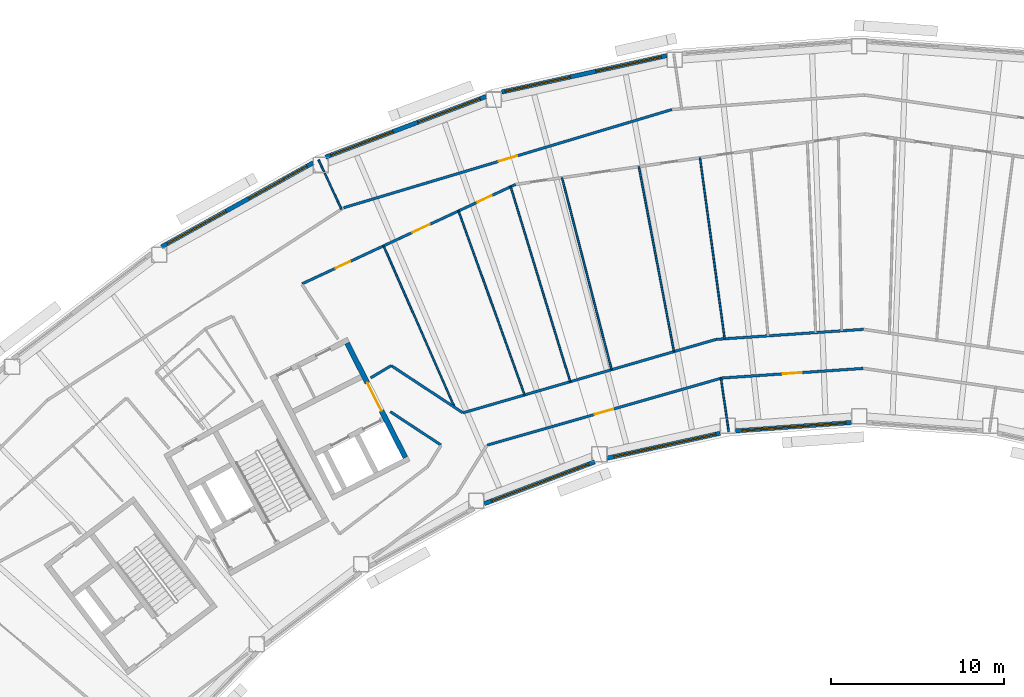
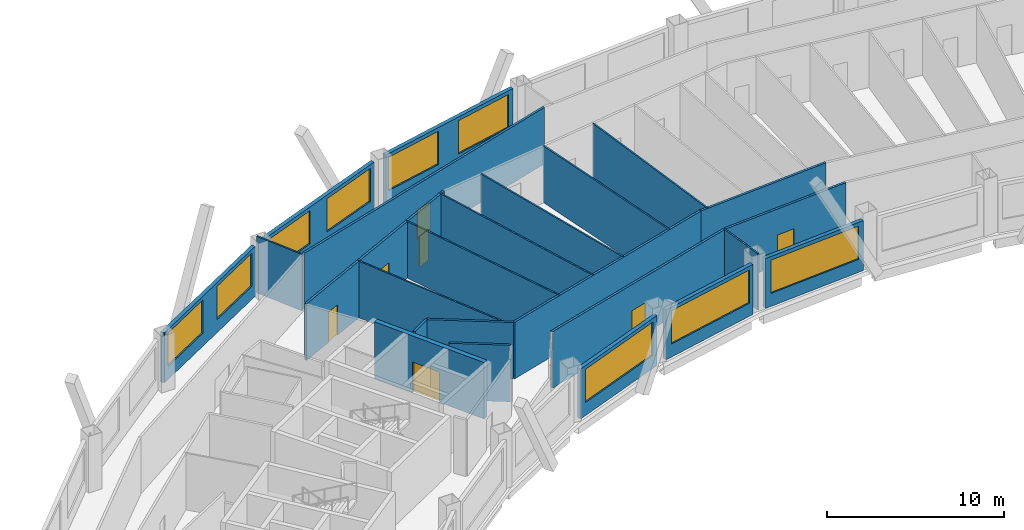
# One storey, part 7 of 15: 24 walls, 9 windows, 7 doors, 16 openings.
"""IFC4 building model written with IfcOpenShell, lengths in metres."""

from ifc_helpers import new_model, si_unit, direction, frame, frame_2d, origin, place, context, subcontext, project, spatial, rectangle, extrude, material, layer, layer_set, type_object, element, fill, save


model = new_model("IFC4")

# Units and contexts
model_context = context("Model", 3, precision=1e-05, world=origin(), true_north=direction((0.0, 1.0)))
body_context = subcontext(model_context, "Body", "Model", "MODEL_VIEW")
ifc_project = project(units=[si_unit("LENGTHUNIT", "METRE"), si_unit("AREAUNIT", "SQUARE_METRE"), si_unit("VOLUMEUNIT", "CUBIC_METRE"), si_unit("PLANEANGLEUNIT", "RADIAN"), si_unit("MASSUNIT", "GRAM", prefix="KILO")], contexts=[model_context])

# Site, building, storey
site_placement = place(None, origin())
site = spatial("IfcSite", under=ifc_project, at=site_placement, CompositionType="ELEMENT")
building_placement = place(site_placement, origin())
building = spatial("IfcBuilding", under=site, at=building_placement, Name="Tuul Gate Civic Tower", CompositionType="ELEMENT")
storey_placement = place(building_placement, frame((0.0, 0.0, 226.300048828125)))
storey = spatial("IfcBuildingStorey", under=building, at=storey_placement, Name="Level 51", CompositionType="ELEMENT", Elevation=226.300048828125)

# Wall, opening, door
ifc_material_1 = material(Name="Gypsum board partition")
ifc_layer_1 = layer(ifc_material_1, 0.14990234375)
ifc_layer_set_1 = layer_set([ifc_layer_1], Name="Gypsum board partition")
wall_type_1 = type_object("IfcWallType", Name="Corridor wall P150", PredefinedType="PARTITIONING", material=ifc_layer_set_1)
wall_1_placement = place(storey_placement, frame((-23.810302734375, 9.249267578125, 0.0), z_axis=(0.0, 0.0, 1.0), x_axis=(0.958034617298, 0.286652528436, 0.0)))
wall_1 = element("IfcWall", 1, at=wall_1_placement, inside=storey, type_object=wall_type_1, Name="p013", PredefinedType="PARTITIONING", context=body_context, shape_type="SweptSolid", body=[
    extrude(rectangle(XDim=19.77978515625, YDim=0.14990234375, at=frame_2d((9.889892578125, 0.0))), origin(), (0.0, 0.0, 1.0), 3.89990234375),
])
opening_1_placement = place(wall_1_placement, frame((9.33984375, 0.0, 0.0)))
opening_1 = element("IfcOpeningElement", 2, at=opening_1_placement, cuts=wall_1, Name="Opening R-D04", PredefinedType="OPENING", context=body_context, shape_type="SweptSolid", body=[
    extrude(rectangle(XDim=1.10009765625, YDim=2.10009765625, at=frame_2d((0.550048828125, 1.050048828125))), frame((0.0, 0.0849609375, 0.0), z_axis=(0.0, -1.0, 0.0), x_axis=(1.0, 0.0, 0.0)), (0.0, 0.0, 1.0), 0.169921875),
])
ifc_material_2 = material(Name="Timber door leaf", Category="wood")
door_type_1 = type_object("IfcDoorType", Name="Door D11", OperationType="NOTDEFINED", PredefinedType="DOOR", material=ifc_material_2)
door_1_placement = place(opening_1_placement, origin())
door_1 = element("IfcDoor", 3, at=door_1_placement, inside=storey, type_object=door_type_1, Name="Door R-D04", OperationType="SINGLE_SWING_RIGHT", OverallHeight=2.10009765625, OverallWidth=1.10009765625, PredefinedType="DOOR", context=body_context, shape_type="SweptSolid", body=[
    extrude(rectangle(XDim=1.10009765625, YDim=2.10009765625, at=frame_2d((0.550048828125, 1.050048828125))), frame((0.0, 0.02490234375, 0.0), z_axis=(0.0, -1.0, 0.0), x_axis=(1.0, 0.0, 0.0)), (0.0, 0.0, 1.0), 0.050048828125),
])
fill(opening_1, door_1)

wall_2_placement = place(storey_placement, frame((-15.534912109375, -4.460205078125, 0.0), z_axis=(0.0, 0.0, 1.0), x_axis=(0.961375307867, 0.275240835311, 0.0)))
wall_2 = element("IfcWall", 4, at=wall_2_placement, inside=storey, type_object=wall_type_1, Name="p037", PredefinedType="PARTITIONING", context=body_context, shape_type="SweptSolid", body=[
    extrude(rectangle(XDim=14.0830078125, YDim=0.14990234375, at=frame_2d((7.04150390625, 0.0))), origin(), (0.0, 0.0, 1.0), 3.89990234375),
])
opening_2_placement = place(wall_2_placement, frame((6.47265625, 0.0, 0.0)))
opening_2 = element("IfcOpeningElement", 5, at=opening_2_placement, cuts=wall_2, Name="Opening R-D10", PredefinedType="OPENING", context=body_context, shape_type="SweptSolid", body=[
    extrude(rectangle(XDim=1.10009765625, YDim=2.10009765625, at=frame_2d((0.550048828125, 1.050048828125))), frame((0.0, 0.0849609375, 0.0), z_axis=(0.0, -1.0, 0.0), x_axis=(1.0, 0.0, 0.0)), (0.0, 0.0, 1.0), 0.169921875),
])
door_2_placement = place(opening_2_placement, frame((1.10009765625, 0.0, 0.0), z_axis=(0.0, 0.0, 1.0), x_axis=(-1.0, 0.0, 0.0)))
door_2 = element("IfcDoor", 6, at=door_2_placement, inside=storey, type_object=door_type_1, Name="Door R-D10", OperationType="SINGLE_SWING_LEFT", OverallHeight=2.10009765625, OverallWidth=1.10009765625, PredefinedType="DOOR", context=body_context, shape_type="SweptSolid", body=[
    extrude(rectangle(XDim=1.10009765625, YDim=2.10009765625, at=frame_2d((0.550048828125, 1.050048828125))), frame((0.0, 0.02490234375, 0.0), z_axis=(0.0, -1.0, 0.0), x_axis=(1.0, 0.0, 0.0)), (0.0, 0.0, 1.0), 0.050048828125),
])
fill(opening_2, door_2)

wall_3_placement = place(storey_placement, frame((-1.990478515625, -0.5830078125, 0.0), z_axis=(0.0, 0.0, 1.0), x_axis=(0.997683646703, 0.068024562484, 0.0)))
wall_3 = element("IfcWall", 7, at=wall_3_placement, inside=storey, type_object=wall_type_1, Name="p038", PredefinedType="PARTITIONING", context=body_context, shape_type="SweptSolid", body=[
    extrude(rectangle(XDim=8.190185546875, YDim=0.14990234375, at=frame_2d((4.09521484375, 0.0))), origin(), (0.0, 0.0, 1.0), 3.89990234375),
])
opening_3_placement = place(wall_3_placement, frame((3.545166015625, 0.0, 0.0)))
opening_3 = element("IfcOpeningElement", 8, at=opening_3_placement, cuts=wall_3, Name="Opening R-D09", PredefinedType="OPENING", context=body_context, shape_type="SweptSolid", body=[
    extrude(rectangle(XDim=1.10009765625, YDim=2.10009765625, at=frame_2d((0.550048828125, 1.050048828125))), frame((0.0, 0.0849609375, 0.0), z_axis=(0.0, -1.0, 0.0), x_axis=(1.0, 0.0, 0.0)), (0.0, 0.0, 1.0), 0.169921875),
])
door_3_placement = place(opening_3_placement, frame((1.10009765625, 0.0, 0.0), z_axis=(0.0, 0.0, 1.0), x_axis=(-1.0, 0.0, 0.0)))
door_3 = element("IfcDoor", 9, at=door_3_placement, inside=storey, type_object=door_type_1, Name="Door R-D09", OperationType="SINGLE_SWING_LEFT", OverallHeight=2.10009765625, OverallWidth=1.10009765625, PredefinedType="DOOR", context=body_context, shape_type="SweptSolid", body=[
    extrude(rectangle(XDim=1.10009765625, YDim=2.10009765625, at=frame_2d((0.550048828125, 1.050048828125))), frame((0.0, 0.02490234375, 0.0), z_axis=(0.0, -1.0, 0.0), x_axis=(1.0, 0.0, 0.0)), (0.0, 0.0, 1.0), 0.050048828125),
])
fill(opening_3, door_3)

# Walls
wall_4_placement = place(storey_placement, frame((-2.315185546875, 1.650146484375, 0.0), z_axis=(0.0, 0.0, 1.0), x_axis=(0.997686740479, 0.067979172342, 0.0)))
element("IfcWall", 10, at=wall_4_placement, inside=storey, type_object=wall_type_1, Name="p074", PredefinedType="PARTITIONING", context=body_context, shape_type="SweptSolid", body=[
    extrude(rectangle(XDim=8.5224609375, YDim=0.14990234375, at=frame_2d((4.26123046875, 0.0))), origin(), (0.0, 0.0, 1.0), 3.89990234375),
])
wall_5_placement = place(storey_placement, frame((-16.918212890625, -2.5888671875, 0.0), z_axis=(0.0, 0.0, 1.0), x_axis=(0.960351912949, 0.278790608334, 0.0)))
element("IfcWall", 11, at=wall_5_placement, inside=storey, type_object=wall_type_1, Name="p079", PredefinedType="PARTITIONING", context=body_context, shape_type="SweptSolid", body=[
    extrude(rectangle(XDim=15.2041015625, YDim=0.14990234375, at=frame_2d((7.60205078125, 0.0))), origin(), (0.0, 0.0, 1.0), 3.89990234375),
])

# Wall, openings, doors
wall_6_placement = place(storey_placement, frame((-26.212646484375, 4.8583984375, 0.0), z_axis=(0.0, 0.0, 1.0), x_axis=(0.906577439331, 0.422039508218, 0.0)))
wall_6 = element("IfcWall", 12, at=wall_6_placement, inside=storey, type_object=wall_type_1, Name="p083", PredefinedType="PARTITIONING", context=body_context, shape_type="SweptSolid", body=[
    extrude(rectangle(XDim=13.590087890625, YDim=0.14990234375, at=frame_2d((6.794921875, 0.0))), origin(), (0.0, 0.0, 1.0), 3.89990234375),
])
opening_4_placement = place(wall_6_placement, frame((11.169921875, 0.0, 0.0)))
opening_4 = element("IfcOpeningElement", 13, at=opening_4_placement, cuts=wall_6, Name="Opening R-D31", PredefinedType="OPENING", context=body_context, shape_type="SweptSolid", body=[
    extrude(rectangle(XDim=0.89990234375, YDim=2.10009765625, at=frame_2d((0.449951171875, 1.050048828125))), frame((0.0, 0.0849609375, 0.0), z_axis=(0.0, -1.0, 0.0), x_axis=(1.0, 0.0, 0.0)), (0.0, 0.0, 1.0), 0.169921875),
])
opening_5_placement = place(wall_6_placement, frame((7.025390625, 0.0, 0.0)))
opening_5 = element("IfcOpeningElement", 14, at=opening_5_placement, cuts=wall_6, Name="Opening R-D32", PredefinedType="OPENING", context=body_context, shape_type="SweptSolid", body=[
    extrude(rectangle(XDim=1.10009765625, YDim=2.10009765625, at=frame_2d((0.550048828125, 1.050048828125))), frame((0.0, 0.0849609375, 0.0), z_axis=(0.0, -1.0, 0.0), x_axis=(1.0, 0.0, 0.0)), (0.0, 0.0, 1.0), 0.169921875),
])
opening_6_placement = place(wall_6_placement, frame((2.144287109375, 0.0, 0.0)))
opening_6 = element("IfcOpeningElement", 15, at=opening_6_placement, cuts=wall_6, Name="Opening R-D33", PredefinedType="OPENING", context=body_context, shape_type="SweptSolid", body=[
    extrude(rectangle(XDim=0.89990234375, YDim=2.10009765625, at=frame_2d((0.449951171875, 1.050048828125))), frame((0.0, 0.0849609375, 0.0), z_axis=(0.0, -1.0, 0.0), x_axis=(1.0, 0.0, 0.0)), (0.0, 0.0, 1.0), 0.169921875),
])
ifc_material_3 = material(Name="Timber door leaf", Category="wood")
door_type_2 = type_object("IfcDoorType", Name="Door D09", OperationType="NOTDEFINED", PredefinedType="DOOR", material=ifc_material_3)
door_4_placement = place(opening_4_placement, frame((0.89990234375, 0.0, 0.0), z_axis=(0.0, 0.0, 1.0), x_axis=(-1.0, 0.0, 0.0)))
door_4 = element("IfcDoor", 16, at=door_4_placement, inside=storey, type_object=door_type_2, Name="Door R-D31", OperationType="SINGLE_SWING_LEFT", OverallHeight=2.10009765625, OverallWidth=0.89990234375, PredefinedType="DOOR", context=body_context, shape_type="SweptSolid", body=[
    extrude(rectangle(XDim=0.89990234375, YDim=2.10009765625, at=frame_2d((0.449951171875, 1.050048828125))), frame((0.0, 0.02490234375, 0.0), z_axis=(0.0, -1.0, 0.0), x_axis=(1.0, 0.0, 0.0)), (0.0, 0.0, 1.0), 0.050048828125),
])
fill(opening_4, door_4)
door_5_placement = place(opening_6_placement, frame((0.89990234375, 0.0, 0.0), z_axis=(0.0, 0.0, 1.0), x_axis=(-1.0, 0.0, 0.0)))
door_5 = element("IfcDoor", 17, at=door_5_placement, inside=storey, type_object=door_type_2, Name="Door R-D33", OperationType="SINGLE_SWING_LEFT", OverallHeight=2.10009765625, OverallWidth=0.89990234375, PredefinedType="DOOR", context=body_context, shape_type="SweptSolid", body=[
    extrude(rectangle(XDim=0.89990234375, YDim=2.10009765625, at=frame_2d((0.449951171875, 1.050048828125))), frame((0.0, 0.02490234375, 0.0), z_axis=(0.0, -1.0, 0.0), x_axis=(1.0, 0.0, 0.0)), (0.0, 0.0, 1.0), 0.050048828125),
])
fill(opening_6, door_5)
door_6_placement = place(opening_5_placement, frame((1.10009765625, 0.0, 0.0), z_axis=(0.0, 0.0, 1.0), x_axis=(-1.0, 0.0, 0.0)))
door_6 = element("IfcDoor", 18, at=door_6_placement, inside=storey, type_object=door_type_1, Name="Door R-D32", OperationType="SINGLE_SWING_LEFT", OverallHeight=2.10009765625, OverallWidth=1.10009765625, PredefinedType="DOOR", context=body_context, shape_type="SweptSolid", body=[
    extrude(rectangle(XDim=1.10009765625, YDim=2.10009765625, at=frame_2d((0.550048828125, 1.050048828125))), frame((0.0, 0.02490234375, 0.0), z_axis=(0.0, -1.0, 0.0), x_axis=(1.0, 0.0, 0.0)), (0.0, 0.0, 1.0), 0.050048828125),
])
fill(opening_5, door_6)

# Walls
wall_7_placement = place(storey_placement, frame((-21.06689453125, 0.133544921875, 0.0), z_axis=(0.0, 0.0, 1.0), x_axis=(0.8355255713, -0.549451562655, 0.0)))
element("IfcWall", 19, at=wall_7_placement, inside=storey, type_object=wall_type_1, Name="p086", PredefinedType="PARTITIONING", context=body_context, shape_type="SweptSolid", body=[
    extrude(rectangle(XDim=4.947998046875, YDim=0.14990234375, at=frame_2d((2.47412109375, 0.0))), origin(), (0.0, 0.0, 1.0), 3.89990234375),
])
wall_8_placement = place(storey_placement, frame((-22.254150390625, -0.57275390625, 0.0), z_axis=(0.0, 0.0, 1.0), x_axis=(0.859111470211, 0.511788512719, 0.0)))
element("IfcWall", 20, at=wall_8_placement, inside=storey, type_object=wall_type_1, Name="p088", PredefinedType="PARTITIONING", context=body_context, shape_type="SweptSolid", body=[
    extrude(rectangle(XDim=1.380615234375, YDim=0.14990234375, at=frame_2d((0.6904296875, 0.0))), origin(), (0.0, 0.0, 1.0), 3.89990234375),
])
wall_9_placement = place(storey_placement, frame((-21.115478515625, -2.527099609375, 0.0), z_axis=(0.0, 0.0, 1.0), x_axis=(0.835481377366, -0.54951876044, 0.0)))
element("IfcWall", 21, at=wall_9_placement, inside=storey, type_object=wall_type_1, Name="p093", PredefinedType="PARTITIONING", context=body_context, shape_type="SweptSolid", body=[
    extrude(rectangle(XDim=3.48681640625, YDim=0.14990234375, at=frame_2d((1.743408203125, 0.0))), origin(), (0.0, 0.0, 1.0), 3.89990234375),
])

# Wall, openings, windows
ifc_material_4 = material(Name="Precast concrete C40/50", Category="concrete")
ifc_layer_2 = layer(ifc_material_4, 0.25)
ifc_layer_set_2 = layer_set([ifc_layer_2], Name="Precast concrete C40/50")
wall_type_2 = type_object("IfcWallType", Name="External wall", PredefinedType="STANDARD", material=ifc_layer_set_2)
wall_10_placement = place(storey_placement, frame((-5.159912109375, 18.027099609375, 0.0), z_axis=(0.0, 0.0, 1.0), x_axis=(-0.976565945411, -0.215218387375, 0.0)))
wall_10 = element("IfcWall", 22, at=wall_10_placement, inside=storey, type_object=wall_type_2, Name="External wall", PredefinedType="STANDARD", context=body_context, shape_type="SweptSolid", body=[
    extrude(rectangle(XDim=9.755615234375, YDim=0.25, at=frame_2d((4.8779296875, 0.0))), origin(), (0.0, 0.0, 1.0), 3.449951171875),
])
opening_7_placement = place(wall_10_placement, frame((0.3388671875, 0.0, 0.89990234375)))
opening_7 = element("IfcOpeningElement", 23, at=opening_7_placement, cuts=wall_10, Name="Opening W22", PredefinedType="OPENING", context=body_context, shape_type="SweptSolid", body=[
    extrude(rectangle(XDim=3.85009765625, YDim=2.300048828125, at=frame_2d((1.925048828125, 1.14990234375))), frame((0.0, 0.135009765625, 0.0), z_axis=(0.0, -1.0, 0.0), x_axis=(1.0, 0.0, 0.0)), (0.0, 0.0, 1.0), 0.27001953125),
])
opening_8_placement = place(wall_10_placement, frame((5.710205078125, 0.0, 0.89990234375)))
opening_8 = element("IfcOpeningElement", 24, at=opening_8_placement, cuts=wall_10, Name="Opening W22", PredefinedType="OPENING", context=body_context, shape_type="SweptSolid", body=[
    extrude(rectangle(XDim=3.85009765625, YDim=2.300048828125, at=frame_2d((1.925048828125, 1.14990234375))), frame((0.0, 0.135009765625, 0.0), z_axis=(0.0, -1.0, 0.0), x_axis=(1.0, 0.0, 0.0)), (0.0, 0.0, 1.0), 0.27001953125),
])
ifc_material_5 = material(Name="Glass", Category="glass")
window_type_1 = type_object("IfcWindowType", Name="Window W22 3850 x 2300", PartitioningType="SINGLE_PANEL", PredefinedType="WINDOW", material=ifc_material_5)
window_1_placement = place(opening_7_placement, origin())
window_1 = element("IfcWindow", 25, at=window_1_placement, inside=storey, type_object=window_type_1, Name="Window", OverallHeight=2.300048828125, OverallWidth=3.85009765625, PartitioningType="SINGLE_PANEL", PredefinedType="WINDOW", context=body_context, shape_type="SweptSolid", body=[
    extrude(rectangle(XDim=3.85009765625, YDim=2.300048828125, at=frame_2d((1.925048828125, 1.14990234375))), frame((0.0, 0.030029296875, 0.0), z_axis=(0.0, -1.0, 0.0), x_axis=(1.0, 0.0, 0.0)), (0.0, 0.0, 1.0), 0.06005859375),
])
fill(opening_7, window_1)
window_2_placement = place(opening_8_placement, origin())
window_2 = element("IfcWindow", 26, at=window_2_placement, inside=storey, type_object=window_type_1, Name="Window", OverallHeight=2.300048828125, OverallWidth=3.85009765625, PartitioningType="SINGLE_PANEL", PredefinedType="WINDOW", context=body_context, shape_type="SweptSolid", body=[
    extrude(rectangle(XDim=3.85009765625, YDim=2.300048828125, at=frame_2d((1.925048828125, 1.14990234375))), frame((0.0, 0.030029296875, 0.0), z_axis=(0.0, -1.0, 0.0), x_axis=(1.0, 0.0, 0.0)), (0.0, 0.0, 1.0), 0.06005859375),
])
fill(opening_8, window_2)

wall_11_placement = place(storey_placement, frame((-15.5869140625, 15.673095703125, 0.0), z_axis=(0.0, 0.0, 1.0), x_axis=(-0.935372856453, -0.353663143981, 0.0)))
wall_11 = element("IfcWall", 27, at=wall_11_placement, inside=storey, type_object=wall_type_2, Name="External wall", PredefinedType="STANDARD", context=body_context, shape_type="SweptSolid", body=[
    extrude(rectangle(XDim=9.908203125, YDim=0.25, at=frame_2d((4.9541015625, 0.0))), origin(), (0.0, 0.0, 1.0), 3.449951171875),
])
opening_9_placement = place(wall_11_placement, frame((0.3701171875, 0.0, 0.89990234375)))
opening_9 = element("IfcOpeningElement", 28, at=opening_9_placement, cuts=wall_11, Name="Opening W22", PredefinedType="OPENING", context=body_context, shape_type="SweptSolid", body=[
    extrude(rectangle(XDim=3.85009765625, YDim=2.300048828125, at=frame_2d((1.925048828125, 1.14990234375))), frame((0.0, 0.135009765625, 0.0), z_axis=(0.0, -1.0, 0.0), x_axis=(1.0, 0.0, 0.0)), (0.0, 0.0, 1.0), 0.27001953125),
])
opening_10_placement = place(wall_11_placement, frame((5.7412109375, 0.0, 0.89990234375)))
opening_10 = element("IfcOpeningElement", 29, at=opening_10_placement, cuts=wall_11, Name="Opening W22", PredefinedType="OPENING", context=body_context, shape_type="SweptSolid", body=[
    extrude(rectangle(XDim=3.85009765625, YDim=2.300048828125, at=frame_2d((1.925048828125, 1.14990234375))), frame((0.0, 0.135009765625, 0.0), z_axis=(0.0, -1.0, 0.0), x_axis=(1.0, 0.0, 0.0)), (0.0, 0.0, 1.0), 0.27001953125),
])
window_3_placement = place(opening_9_placement, origin())
window_3 = element("IfcWindow", 30, at=window_3_placement, inside=storey, type_object=window_type_1, Name="Window", OverallHeight=2.300048828125, OverallWidth=3.85009765625, PartitioningType="SINGLE_PANEL", PredefinedType="WINDOW", context=body_context, shape_type="SweptSolid", body=[
    extrude(rectangle(XDim=3.85009765625, YDim=2.300048828125, at=frame_2d((1.925048828125, 1.14990234375))), frame((0.0, 0.030029296875, 0.0), z_axis=(0.0, -1.0, 0.0), x_axis=(1.0, 0.0, 0.0)), (0.0, 0.0, 1.0), 0.06005859375),
])
fill(opening_9, window_3)
window_4_placement = place(opening_10_placement, origin())
window_4 = element("IfcWindow", 31, at=window_4_placement, inside=storey, type_object=window_type_1, Name="Window", OverallHeight=2.300048828125, OverallWidth=3.85009765625, PartitioningType="SINGLE_PANEL", PredefinedType="WINDOW", context=body_context, shape_type="SweptSolid", body=[
    extrude(rectangle(XDim=3.85009765625, YDim=2.300048828125, at=frame_2d((1.925048828125, 1.14990234375))), frame((0.0, 0.030029296875, 0.0), z_axis=(0.0, -1.0, 0.0), x_axis=(1.0, 0.0, 0.0)), (0.0, 0.0, 1.0), 0.06005859375),
])
fill(opening_10, window_4)

wall_12_placement = place(storey_placement, frame((-25.573974609375, 11.842041015625, 0.0), z_axis=(0.0, 0.0, 1.0), x_axis=(-0.87460251425, -0.484840635743, 0.0)))
wall_12 = element("IfcWall", 32, at=wall_12_placement, inside=storey, type_object=wall_type_2, Name="External wall", PredefinedType="STANDARD", context=body_context, shape_type="SweptSolid", body=[
    extrude(rectangle(XDim=10.00146484375, YDim=0.25, at=frame_2d((5.000732421875, 0.0))), origin(), (0.0, 0.0, 1.0), 3.449951171875),
])
opening_11_placement = place(wall_12_placement, frame((0.393798828125, 0.0, 0.89990234375)))
opening_11 = element("IfcOpeningElement", 33, at=opening_11_placement, cuts=wall_12, Name="Opening W22", PredefinedType="OPENING", context=body_context, shape_type="SweptSolid", body=[
    extrude(rectangle(XDim=3.85009765625, YDim=2.300048828125, at=frame_2d((1.925048828125, 1.14990234375))), frame((0.0, 0.135009765625, 0.0), z_axis=(0.0, -1.0, 0.0), x_axis=(1.0, 0.0, 0.0)), (0.0, 0.0, 1.0), 0.27001953125),
])
opening_12_placement = place(wall_12_placement, frame((5.764892578125, 0.0, 0.89990234375)))
opening_12 = element("IfcOpeningElement", 34, at=opening_12_placement, cuts=wall_12, Name="Opening W22", PredefinedType="OPENING", context=body_context, shape_type="SweptSolid", body=[
    extrude(rectangle(XDim=3.85009765625, YDim=2.300048828125, at=frame_2d((1.925048828125, 1.14990234375))), frame((0.0, 0.135009765625, 0.0), z_axis=(0.0, -1.0, 0.0), x_axis=(1.0, 0.0, 0.0)), (0.0, 0.0, 1.0), 0.27001953125),
])
window_5_placement = place(opening_11_placement, origin())
window_5 = element("IfcWindow", 35, at=window_5_placement, inside=storey, type_object=window_type_1, Name="Window", OverallHeight=2.300048828125, OverallWidth=3.85009765625, PartitioningType="SINGLE_PANEL", PredefinedType="WINDOW", context=body_context, shape_type="SweptSolid", body=[
    extrude(rectangle(XDim=3.85009765625, YDim=2.300048828125, at=frame_2d((1.925048828125, 1.14990234375))), frame((0.0, 0.030029296875, 0.0), z_axis=(0.0, -1.0, 0.0), x_axis=(1.0, 0.0, 0.0)), (0.0, 0.0, 1.0), 0.06005859375),
])
fill(opening_11, window_5)
window_6_placement = place(opening_12_placement, origin())
window_6 = element("IfcWindow", 36, at=window_6_placement, inside=storey, type_object=window_type_1, Name="Window", OverallHeight=2.300048828125, OverallWidth=3.85009765625, PartitioningType="SINGLE_PANEL", PredefinedType="WINDOW", context=body_context, shape_type="SweptSolid", body=[
    extrude(rectangle(XDim=3.85009765625, YDim=2.300048828125, at=frame_2d((1.925048828125, 1.14990234375))), frame((0.0, 0.030029296875, 0.0), z_axis=(0.0, -1.0, 0.0), x_axis=(1.0, 0.0, 0.0)), (0.0, 0.0, 1.0), 0.06005859375),
])
fill(opening_12, window_6)

# Wall, opening, window
wall_13_placement = place(storey_placement, frame((-15.697021484375, -7.8349609375, 0.0), z_axis=(0.0, 0.0, 1.0), x_axis=(0.935372377576, 0.35366441052, 0.0)))
wall_13 = element("IfcWall", 37, at=wall_13_placement, inside=storey, type_object=wall_type_2, Name="External wall", PredefinedType="STANDARD", context=body_context, shape_type="SweptSolid", body=[
    extrude(rectangle(XDim=6.819580078125, YDim=0.25, at=frame_2d((3.40966796875, 0.0))), origin(), (0.0, 0.0, 1.0), 3.449951171875),
])
opening_13_placement = place(wall_13_placement, frame((0.43798828125, 0.0, 0.89990234375)))
opening_13 = element("IfcOpeningElement", 38, at=opening_13_placement, cuts=wall_13, Name="Opening W26", PredefinedType="OPENING", context=body_context, shape_type="SweptSolid", body=[
    extrude(rectangle(XDim=6.0, YDim=2.300048828125, at=frame_2d((3.0, 1.14990234375))), frame((0.0, 0.135009765625, 0.0), z_axis=(0.0, -1.0, 0.0), x_axis=(1.0, 0.0, 0.0)), (0.0, 0.0, 1.0), 0.27001953125),
])
ifc_material_6 = material(Name="Glass", Category="glass")
window_type_2 = type_object("IfcWindowType", Name="Window W26 6000 x 2300", PartitioningType="SINGLE_PANEL", PredefinedType="WINDOW", material=ifc_material_6)
window_7_placement = place(opening_13_placement, origin())
window_7 = element("IfcWindow", 39, at=window_7_placement, inside=storey, type_object=window_type_2, Name="Window", OverallHeight=2.300048828125, OverallWidth=6.0, PartitioningType="SINGLE_PANEL", PredefinedType="WINDOW", context=body_context, shape_type="SweptSolid", body=[
    extrude(rectangle(XDim=6.0, YDim=2.300048828125, at=frame_2d((3.0, 1.14990234375))), frame((0.0, 0.030029296875, 0.0), z_axis=(0.0, -1.0, 0.0), x_axis=(1.0, 0.0, 0.0)), (0.0, 0.0, 1.0), 0.06005859375),
])
fill(opening_13, window_7)

wall_14_placement = place(storey_placement, frame((-8.595947265625, -5.206298828125, 0.0), z_axis=(0.0, 0.0, 1.0), x_axis=(0.976558520258, 0.21525207667, 0.0)))
wall_14 = element("IfcWall", 40, at=wall_14_placement, inside=storey, type_object=wall_type_2, Name="External wall", PredefinedType="STANDARD", context=body_context, shape_type="SweptSolid", body=[
    extrude(rectangle(XDim=6.670166015625, YDim=0.25, at=frame_2d((3.3349609375, 0.0))), origin(), (0.0, 0.0, 1.0), 3.449951171875),
])
opening_14_placement = place(wall_14_placement, frame((0.406982421875, 0.0, 0.89990234375)))
opening_14 = element("IfcOpeningElement", 41, at=opening_14_placement, cuts=wall_14, Name="Opening W26", PredefinedType="OPENING", context=body_context, shape_type="SweptSolid", body=[
    extrude(rectangle(XDim=6.0, YDim=2.300048828125, at=frame_2d((3.0, 1.14990234375))), frame((0.0, 0.135009765625, 0.0), z_axis=(0.0, -1.0, 0.0), x_axis=(1.0, 0.0, 0.0)), (0.0, 0.0, 1.0), 0.27001953125),
])
window_8_placement = place(opening_14_placement, origin())
window_8 = element("IfcWindow", 42, at=window_8_placement, inside=storey, type_object=window_type_2, Name="Window", OverallHeight=2.300048828125, OverallWidth=6.0, PartitioningType="SINGLE_PANEL", PredefinedType="WINDOW", context=body_context, shape_type="SweptSolid", body=[
    extrude(rectangle(XDim=6.0, YDim=2.300048828125, at=frame_2d((3.0, 1.14990234375))), frame((0.0, 0.030029296875, 0.0), z_axis=(0.0, -1.0, 0.0), x_axis=(1.0, 0.0, 0.0)), (0.0, 0.0, 1.0), 0.06005859375),
])
fill(opening_14, window_8)

wall_15_placement = place(storey_placement, frame((-1.181884765625, -3.6318359375, 0.0), z_axis=(0.0, 0.0, 1.0), x_axis=(0.997393444125, 0.072154817002, 0.0)))
wall_15 = element("IfcWall", 43, at=wall_15_placement, inside=storey, type_object=wall_type_2, Name="External wall", PredefinedType="STANDARD", context=body_context, shape_type="SweptSolid", body=[
    extrude(rectangle(XDim=6.689208984375, YDim=0.25, at=frame_2d((3.3447265625, 0.0))), origin(), (0.0, 0.0, 1.0), 3.449951171875),
])
opening_15_placement = place(wall_15_placement, frame((0.3681640625, 0.0, 0.89990234375)))
opening_15 = element("IfcOpeningElement", 44, at=opening_15_placement, cuts=wall_15, Name="Opening W26", PredefinedType="OPENING", context=body_context, shape_type="SweptSolid", body=[
    extrude(rectangle(XDim=6.0, YDim=2.300048828125, at=frame_2d((3.0, 1.14990234375))), frame((0.0, 0.135009765625, 0.0), z_axis=(0.0, -1.0, 0.0), x_axis=(1.0, 0.0, 0.0)), (0.0, 0.0, 1.0), 0.27001953125),
])
window_9_placement = place(opening_15_placement, origin())
window_9 = element("IfcWindow", 45, at=window_9_placement, inside=storey, type_object=window_type_2, Name="Window", OverallHeight=2.300048828125, OverallWidth=6.0, PartitioningType="SINGLE_PANEL", PredefinedType="WINDOW", context=body_context, shape_type="SweptSolid", body=[
    extrude(rectangle(XDim=6.0, YDim=2.300048828125, at=frame_2d((3.0, 1.14990234375))), frame((0.0, 0.030029296875, 0.0), z_axis=(0.0, -1.0, 0.0), x_axis=(1.0, 0.0, 0.0)), (0.0, 0.0, 1.0), 0.06005859375),
])
fill(opening_15, window_9)

# Wall, opening, door
ifc_material_7 = material(Name="Concrete C40/50", Category="concrete")
ifc_layer_3 = layer(ifc_material_7, 0.300048828125)
ifc_layer_set_3 = layer_set([ifc_layer_3], Name="Concrete C40/50")
wall_type_3 = type_object("IfcWallType", Name="Lift shaft wall C40/50", PredefinedType="STANDARD", material=ifc_layer_set_3)
wall_16_placement = place(storey_placement, frame((-20.2509765625, -5.166748046875, 0.0), z_axis=(0.0, 0.0, 1.0), x_axis=(-0.45401029361, 0.89099643843, 0.0)))
wall_16 = element("IfcWall", 46, at=wall_16_placement, inside=storey, type_object=wall_type_3, Name="Shaft wall", PredefinedType="STANDARD", context=body_context, shape_type="SweptSolid", body=[
    extrude(rectangle(XDim=7.39990234375, YDim=0.300048828125, at=frame_2d((3.699951171875, 0.0))), origin(), (0.0, 0.0, 1.0), 3.89990234375),
])
opening_16_placement = place(wall_16_placement, frame((3.02490234375, 0.0, 0.0)))
opening_16 = element("IfcOpeningElement", 47, at=opening_16_placement, cuts=wall_16, Name="Opening LB-W3-LOBBY-1", PredefinedType="OPENING", context=body_context, shape_type="SweptSolid", body=[
    extrude(rectangle(XDim=1.800048828125, YDim=2.10009765625, at=frame_2d((0.89990234375, 1.050048828125))), frame((0.0, 0.16015625, 0.0), z_axis=(0.0, -1.0, 0.0), x_axis=(1.0, 0.0, 0.0)), (0.0, 0.0, 1.0), 0.320068359375),
])
ifc_material_8 = material(Name="Steel", Category="steel")
door_type_3 = type_object("IfcDoorType", Name="Lobby door", OperationType="DOUBLE_DOOR_SINGLE_SWING", PredefinedType="DOOR", material=ifc_material_8)
door_7_placement = place(opening_16_placement, origin())
door_7 = element("IfcDoor", 48, at=door_7_placement, inside=storey, type_object=door_type_3, Name="Lobby door W3-LOBBY", OperationType="DOUBLE_DOOR_SINGLE_SWING", OverallHeight=2.10009765625, OverallWidth=1.800048828125, PredefinedType="DOOR", context=body_context, shape_type="SweptSolid", body=[
    extrude(rectangle(XDim=1.800048828125, YDim=2.10009765625, at=frame_2d((0.89990234375, 1.050048828125))), frame((0.0, 0.02490234375, 0.0), z_axis=(0.0, -1.0, 0.0), x_axis=(1.0, 0.0, 0.0)), (0.0, 0.0, 1.0), 0.050048828125),
])
fill(opening_16, door_7)

# Walls
ifc_material_9 = material(Name="Gypsum board partition")
ifc_layer_4 = layer(ifc_material_9, 0.10009765625)
ifc_layer_set_4 = layer_set([ifc_layer_4], Name="Gypsum board partition")
wall_type_4 = type_object("IfcWallType", Name="Partition P100", PredefinedType="PARTITIONING", material=ifc_layer_set_4)
wall_17_placement = place(storey_placement, frame((-2.031982421875, -0.59423828125, 0.0), z_axis=(0.0, 0.0, 1.0), x_axis=(0.144085481541, -0.989565244948, 0.0)))
element("IfcWall", 49, at=wall_17_placement, inside=storey, type_object=wall_type_4, Name="p007", PredefinedType="PARTITIONING", context=body_context, shape_type="SweptSolid", body=[
    extrude(rectangle(XDim=3.104248046875, YDim=0.10009765625, at=frame_2d((1.55224609375, 0.0))), origin(), (0.0, 0.0, 1.0), 3.89990234375),
])
wall_18_placement = place(storey_placement, frame((-25.26318359375, 12.02001953125, 0.0), z_axis=(0.0, 0.0, 1.0), x_axis=(0.420292759478, -0.907388558629, 0.0)))
element("IfcWall", 50, at=wall_18_placement, inside=storey, type_object=wall_type_4, Name="p012", PredefinedType="PARTITIONING", context=body_context, shape_type="SweptSolid", body=[
    extrude(rectangle(XDim=3.146728515625, YDim=0.10009765625, at=frame_2d((1.5732421875, 0.0))), origin(), (0.0, 0.0, 1.0), 3.89990234375),
])
wall_19_placement = place(storey_placement, frame((-3.2421875, 12.1337890625, 0.0), z_axis=(0.0, 0.0, 1.0), x_axis=(0.134845642687, -0.990866616982, 0.0)))
element("IfcWall", 51, at=wall_19_placement, inside=storey, type_object=wall_type_4, Name="p077", PredefinedType="PARTITIONING", context=body_context, shape_type="SweptSolid", body=[
    extrude(rectangle(XDim=10.54638671875, YDim=0.10009765625, at=frame_2d((5.273193359375, 0.0))), origin(), (0.0, 0.0, 1.0), 3.89990234375),
])
wall_20_placement = place(storey_placement, frame((-6.7724609375, 11.623779296875, 0.0), z_axis=(0.0, 0.0, 1.0), x_axis=(0.186517565251, -0.982451626215, 0.0)))
element("IfcWall", 52, at=wall_20_placement, inside=storey, type_object=wall_type_4, Name="p078", PredefinedType="PARTITIONING", context=body_context, shape_type="SweptSolid", body=[
    extrude(rectangle(XDim=10.869384765625, YDim=0.10009765625, at=frame_2d((5.4345703125, 0.0))), origin(), (0.0, 0.0, 1.0), 3.89990234375),
])
wall_21_placement = place(storey_placement, frame((-11.210693359375, 10.982421875, 0.0), z_axis=(0.0, 0.0, 1.0), x_axis=(0.250391438757, -0.968144683091, 0.0)))
element("IfcWall", 53, at=wall_21_placement, inside=storey, type_object=wall_type_4, Name="p080", PredefinedType="PARTITIONING", context=body_context, shape_type="SweptSolid", body=[
    extrude(rectangle(XDim=11.447021484375, YDim=0.10009765625, at=frame_2d((5.7236328125, 0.0))), origin(), (0.0, 0.0, 1.0), 3.89990234375),
])
wall_22_placement = place(storey_placement, frame((-14.17578125, 10.4619140625, 0.0), z_axis=(0.0, 0.0, 1.0), x_axis=(0.292369777264, -0.956305345244, 0.0)))
element("IfcWall", 54, at=wall_22_placement, inside=storey, type_object=wall_type_4, Name="p081", PredefinedType="PARTITIONING", context=body_context, shape_type="SweptSolid", body=[
    extrude(rectangle(XDim=11.769775390625, YDim=0.10009765625, at=frame_2d((5.884765625, 0.0))), origin(), (0.0, 0.0, 1.0), 3.89990234375),
])
wall_23_placement = place(storey_placement, frame((-17.180908203125, 9.06298828125, 0.0), z_axis=(0.0, 0.0, 1.0), x_axis=(0.337925686405, -0.941172795223, 0.0)))
element("IfcWall", 55, at=wall_23_placement, inside=storey, type_object=wall_type_4, Name="p084", PredefinedType="PARTITIONING", context=body_context, shape_type="SweptSolid", body=[
    extrude(rectangle(XDim=11.284912109375, YDim=0.10009765625, at=frame_2d((5.642578125, 0.0))), origin(), (0.0, 0.0, 1.0), 3.89990234375),
])
wall_24_placement = place(storey_placement, frame((-21.5087890625, 7.04833984375, 0.0), z_axis=(0.0, 0.0, 1.0), x_axis=(0.402754682229, -0.915307962351, 0.0)))
element("IfcWall", 56, at=wall_24_placement, inside=storey, type_object=wall_type_4, Name="p085", PredefinedType="PARTITIONING", context=body_context, shape_type="SweptSolid", body=[
    extrude(rectangle(XDim=10.183837890625, YDim=0.10009765625, at=frame_2d((5.091796875, 0.0))), origin(), (0.0, 0.0, 1.0), 3.89990234375),
])

save(model, "model.ifc")
